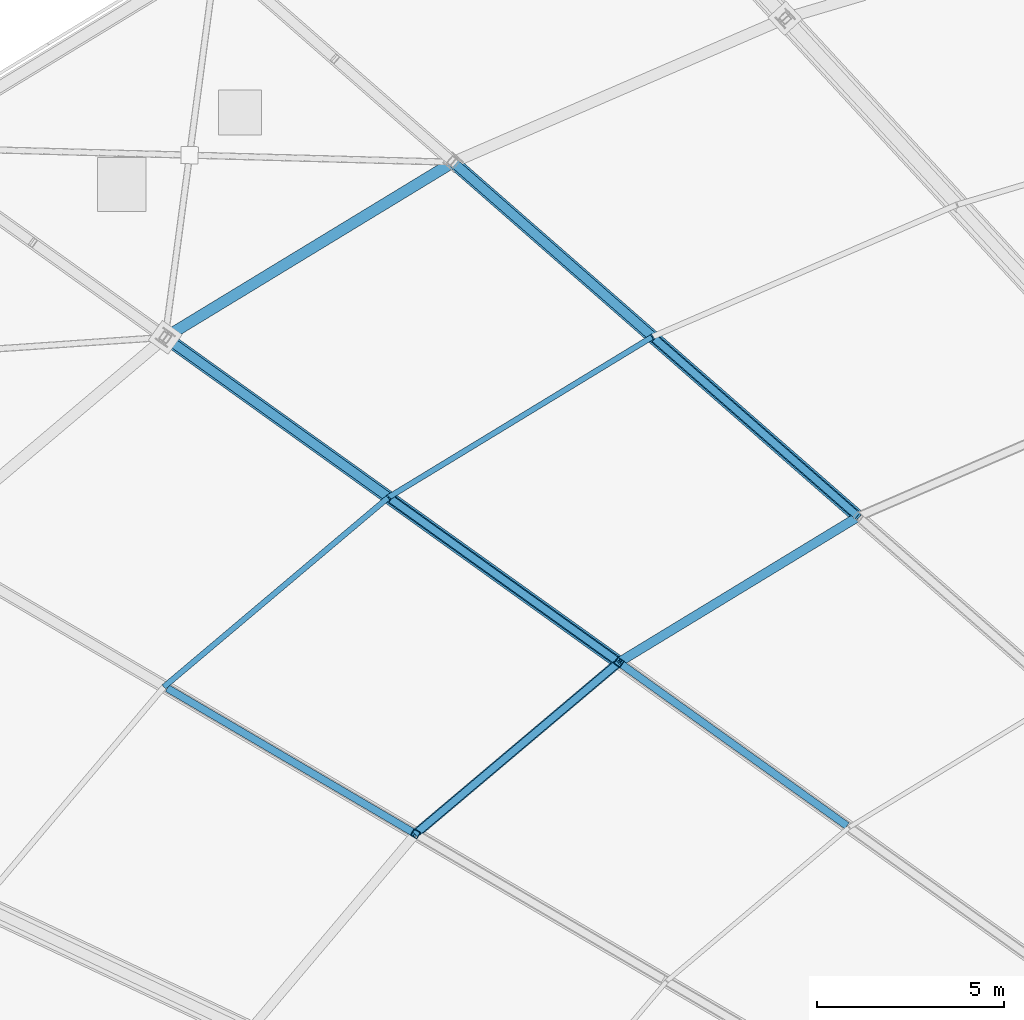
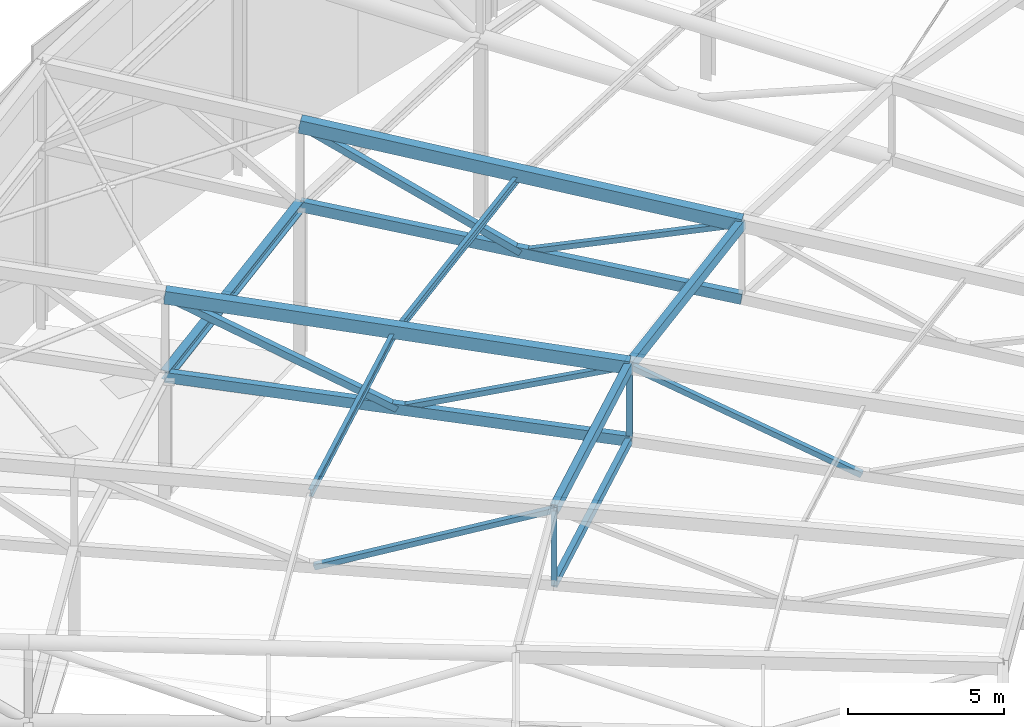
# One storey, part 50 of 143: 11 members, 7 beams.
"""IFC4 building model written with IfcOpenShell, lengths in metres."""

from ifc_helpers import new_model, si_unit, direction, frame, origin, origin_2d, place, context, subcontext, project, spatial, hollow_rectangle, i_section, extrude, material, material_profile, profile_set, type_object, element, save


model = new_model("IFC4")

# Units and contexts
model_context = context("Model", 3, precision=1e-05, world=origin(), true_north=direction((0.0, 1.0)))
body_context = subcontext(model_context, "Body", "Model", "MODEL_VIEW")
ifc_project = project(units=[si_unit("LENGTHUNIT", "METRE"), si_unit("AREAUNIT", "SQUARE_METRE"), si_unit("VOLUMEUNIT", "CUBIC_METRE"), si_unit("PLANEANGLEUNIT", "RADIAN"), si_unit("MASSUNIT", "GRAM", prefix="KILO")], contexts=[model_context])

# Site, building, storey
site_placement = place(None, origin())
site = spatial("IfcSite", under=ifc_project, at=site_placement, CompositionType="ELEMENT")
building_placement = place(site_placement, origin())
building = spatial("IfcBuilding", under=site, at=building_placement, Name="Mphavela Belvedere Stadium", CompositionType="ELEMENT")
storey_placement = place(building_placement, frame((0.0, 0.0, 28.800048828125)))
storey = spatial("IfcBuildingStorey", under=building, at=storey_placement, Name="RF", CompositionType="ELEMENT", Elevation=28.800048828125)

# Beams
ifc_material_1 = material(Name="Steel S355", Category="steel")
ifc_material_profile_1 = material_profile(ifc_material_1, hollow_rectangle(XDim=0.25, YDim=0.39990234375, WallThickness=0.01611328125, at=origin_2d()), Name="RHS 400x250x16")
ifc_profile_set_1 = profile_set([ifc_material_profile_1], Name="Steel S355")
beam_type_1 = type_object("IfcBeamType", Name="BM-RING-MID", PredefinedType="BEAM", material=ifc_profile_set_1)
beam_1_placement = place(storey_placement, frame((61.4775390625, 133.83349609375, 7.064697265625), z_axis=(-0.847674342675, -0.515707335878, -0.124475509606), x_axis=(0.519749594585, -0.854318651868, 0.0)))
element("IfcBeam", 1, at=beam_1_placement, inside=storey, type_object=beam_type_1, Name="Intermediate roof ring beam RB-MID-18", PredefinedType="BEAM", context=body_context, shape_type="SweptSolid", body=[
    extrude(hollow_rectangle(XDim=0.25, YDim=0.39990234375, WallThickness=0.01611328125, at=origin_2d()), origin(), (0.0, 0.0, 1.0), 7.55517578125),
])
beam_2_placement = place(storey_placement, frame((55.0732421875, 129.937255859375, 6.124267578125), z_axis=(-0.757645625472, -0.63937086052, -0.131064903468), x_axis=(0.644934198489, -0.764238104009, 0.0)))
element("IfcBeam", 2, at=beam_2_placement, inside=storey, type_object=beam_type_1, Name="Intermediate roof ring beam RB-MID-19", PredefinedType="BEAM", context=body_context, shape_type="SweptSolid", body=[
    extrude(hollow_rectangle(XDim=0.25, YDim=0.39990234375, WallThickness=0.01611328125, at=origin_2d()), origin(), (0.0, 0.0, 1.0), 7.17724609375),
])
ifc_material_2 = material(Name="Steel S355", Category="steel")
ifc_material_profile_2 = material_profile(ifc_material_2, i_section(OverallWidth=0.300048828125, OverallDepth=0.39990234375, WebThickness=0.013427734375, FlangeThickness=0.02392578125, at=origin_2d()), Name="HEB 400")
ifc_profile_set_2 = profile_set([ifc_material_profile_2], Name="Steel S355")
beam_type_2 = type_object("IfcBeamType", Name="BM-STEEL-HEB400", PredefinedType="BEAM", material=ifc_profile_set_2)
beam_3_placement = place(storey_placement, frame((50.639892578125, 143.31689453125, 5.832275390625), z_axis=(-0.847668189677, -0.5157113945, -0.124500593545), x_axis=(0.519755333579, -0.854315160357, 0.0)))
element("IfcBeam", 3, at=beam_3_placement, inside=storey, type_object=beam_type_2, Name="Roof bottom-chord tie girder R3-18", PredefinedType="BEAM", context=body_context, shape_type="SweptSolid", body=[
    extrude(i_section(OverallWidth=0.300048828125, OverallDepth=0.39990234375, WebThickness=0.013427734375, FlangeThickness=0.02392578125, at=origin_2d()), origin(), (0.0, 0.0, 1.0), 9.085205078125),
])
ifc_material_3 = material(Name="Steel S355", Category="steel")
ifc_material_profile_3 = material_profile(ifc_material_3, hollow_rectangle(XDim=0.25, YDim=0.39990234375, WallThickness=0.01611328125, at=origin_2d()), Name="RHS 400x250x16")
ifc_profile_set_3 = profile_set([ifc_material_profile_3], Name="Steel S355")
beam_type_3 = type_object("IfcBeamType", Name="BM-TRUSS-BC2", PredefinedType="BEAM", material=ifc_profile_set_3)
beam_4_placement = place(storey_placement, frame((50.639892578125, 143.31689453125, 5.832275390625), z_axis=(0.747566278438, -0.654152069556, -0.115020560063), x_axis=(0.658522610874, 0.752560941697, 0.0)))
element("IfcBeam", 4, at=beam_4_placement, inside=storey, type_object=beam_type_3, Name="Radial roof truss RT-18 bottom chord 2", PredefinedType="BEAM", context=body_context, shape_type="SweptSolid", body=[
    extrude(hollow_rectangle(XDim=0.25, YDim=0.39990234375, WallThickness=0.01611328125, at=origin_2d()), origin(), (0.0, 0.0, 1.0), 14.497314453125),
])
beam_5_placement = place(storey_placement, frame((42.938720703125, 138.631591796875, 4.701171875), z_axis=(0.808932564124, -0.579596935267, -0.098465726675), x_axis=(0.582427273986, 0.812882814751, 0.0)))
element("IfcBeam", 5, at=beam_5_placement, inside=storey, type_object=beam_type_3, Name="Radial roof truss RT-19 bottom chord 2", PredefinedType="BEAM", context=body_context, shape_type="SweptSolid", body=[
    extrude(hollow_rectangle(XDim=0.25, YDim=0.39990234375, WallThickness=0.01611328125, at=origin_2d()), origin(), (0.0, 0.0, 1.0), 15.000732421875),
])
ifc_material_4 = material(Name="Steel S355", Category="steel")
ifc_material_profile_4 = material_profile(ifc_material_4, hollow_rectangle(XDim=0.35009765625, YDim=0.5, WallThickness=0.02001953125, at=origin_2d()), Name="RHS 500x350x20")
ifc_profile_set_4 = profile_set([ifc_material_profile_4], Name="Steel S355")
beam_type_4 = type_object("IfcBeamType", Name="BM-TRUSS-TC2", PredefinedType="BEAM", material=ifc_profile_set_4)
beam_6_placement = place(storey_placement, frame((50.639892578125, 143.31689453125, 8.982177734375), z_axis=(0.745977412319, -0.65276174459, -0.131984109309), x_axis=(0.658522610874, 0.752560941697, 0.0)))
element("IfcBeam", 6, at=beam_6_placement, inside=storey, type_object=beam_type_4, Name="Radial roof truss RT-18 top chord 2", PredefinedType="BEAM", context=body_context, shape_type="SweptSolid", body=[
    extrude(hollow_rectangle(XDim=0.35009765625, YDim=0.5, WallThickness=0.02001953125, at=origin_2d()), origin(), (0.0, 0.0, 1.0), 14.528076171875),
])
beam_7_placement = place(storey_placement, frame((42.938720703125, 138.631591796875, 7.851318359375), z_axis=(0.807496577749, -0.578568056793, -0.114927283886), x_axis=(0.582427273986, 0.812882814751, 0.0)))
element("IfcBeam", 7, at=beam_7_placement, inside=storey, type_object=beam_type_4, Name="Radial roof truss RT-19 top chord 2", PredefinedType="BEAM", context=body_context, shape_type="SweptSolid", body=[
    extrude(hollow_rectangle(XDim=0.35009765625, YDim=0.5, WallThickness=0.02001953125, at=origin_2d()), origin(), (0.0, 0.0, 1.0), 15.02734375),
])

# Members
ifc_material_5 = material(Name="Steel S355", Category="steel")
ifc_material_profile_5 = material_profile(ifc_material_5, hollow_rectangle(XDim=0.199951171875, YDim=0.199951171875, WallThickness=0.010009765625, at=origin_2d()), Name="SHS 200x200x10")
ifc_profile_set_5 = profile_set([ifc_material_profile_5], Name="Steel S355")
member_type_1 = type_object("IfcMemberType", Name="MEM-POST-SHS200", PredefinedType="POST", material=ifc_profile_set_5)
member_1_placement = place(storey_placement, frame((56.05859375, 138.5751953125, 4.99853515625), z_axis=(0.723377197718, -0.632971343219, 0.275812814214), x_axis=(0.658514209396, 0.752568293263, 0.0)))
element("IfcMember", 8, at=member_1_placement, inside=storey, type_object=member_type_1, Name="Radial roof truss RT-18 web diagonal D4", PredefinedType="POST", context=body_context, shape_type="SweptSolid", body=[
    extrude(hollow_rectangle(XDim=0.199951171875, YDim=0.199951171875, WallThickness=0.010009765625, at=origin_2d()), origin(), (0.0, 0.0, 1.0), 7.4912109375),
])
member_2_placement = place(storey_placement, frame((55.0732421875, 129.937255859375, 3.22412109375), z_axis=(0.0, 0.0, 1.0), x_axis=(-0.812897512265, 0.582406760395, 0.0)))
element("IfcMember", 9, at=member_2_placement, inside=storey, type_object=member_type_1, Name="Radial roof truss RT-19 post P3", PredefinedType="POST", context=body_context, shape_type="SweptSolid", body=[
    extrude(hollow_rectangle(XDim=0.199951171875, YDim=0.199951171875, WallThickness=0.010009765625, at=origin_2d()), origin(), (0.0, 0.0, 1.0), 2.900146484375),
])
member_3_placement = place(storey_placement, frame((49.005859375, 134.284423828125, 3.962646484375), z_axis=(0.78080370017, -0.559431461662, 0.278176241804), x_axis=(0.58241953096, 0.812888362542, 0.0)))
element("IfcMember", 10, at=member_3_placement, inside=storey, type_object=member_type_1, Name="Radial roof truss RT-19 web diagonal D4", PredefinedType="POST", context=body_context, shape_type="SweptSolid", body=[
    extrude(hollow_rectangle(XDim=0.199951171875, YDim=0.199951171875, WallThickness=0.010009765625, at=origin_2d()), origin(), (0.0, 0.0, 1.0), 7.770751953125),
])
member_4_placement = place(storey_placement, frame((55.0732421875, 129.937255859375, 6.124267578125), z_axis=(0.726803658367, -0.520770672161, -0.447832947874), x_axis=(0.582441144155, 0.812872876652, 0.0)))
element("IfcMember", 11, at=member_4_placement, inside=storey, type_object=member_type_1, Name="Radial roof truss RT-19 web diagonal D5", PredefinedType="POST", context=body_context, shape_type="SweptSolid", body=[
    extrude(hollow_rectangle(XDim=0.199951171875, YDim=0.199951171875, WallThickness=0.010009765625, at=origin_2d()), origin(), (0.0, 0.0, 1.0), 8.34814453125),
])
member_5_placement = place(storey_placement, frame((49.635498046875, 125.348388671875, 2.28369140625), z_axis=(0.0, 0.0, 1.0), x_axis=(-0.862513669207, 0.506033764121, 0.0)))
element("IfcMember", 12, at=member_5_placement, inside=storey, type_object=member_type_1, Name="Radial roof truss RT-20 post P3", PredefinedType="POST", context=body_context, shape_type="SweptSolid", body=[
    extrude(hollow_rectangle(XDim=0.199951171875, YDim=0.199951171875, WallThickness=0.010009765625, at=origin_2d()), origin(), (0.0, 0.0, 1.0), 2.89990234375),
])
member_6_placement = place(storey_placement, frame((43.017578125, 129.231201171875, 2.927001953125), z_axis=(0.827464318161, -0.485483178369, 0.282150466402), x_axis=(0.506043648077, 0.862507870248, 0.0)))
element("IfcMember", 13, at=member_6_placement, inside=storey, type_object=member_type_1, Name="Radial roof truss RT-20 web diagonal D4", PredefinedType="POST", context=body_context, shape_type="SweptSolid", body=[
    extrude(hollow_rectangle(XDim=0.199951171875, YDim=0.199951171875, WallThickness=0.010009765625, at=origin_2d()), origin(), (0.0, 0.0, 1.0), 7.997802734375),
])
ifc_material_6 = material(Name="Steel S355", Category="steel")
ifc_material_profile_6 = material_profile(ifc_material_6, hollow_rectangle(XDim=0.25, YDim=0.25, WallThickness=0.012451171875, at=origin_2d()), Name="SHS 250x250x12.5")
ifc_profile_set_6 = profile_set([ifc_material_profile_6], Name="Steel S355")
member_type_2 = type_object("IfcMemberType", Name="MEM-POST-SHS250", PredefinedType="POST", material=ifc_profile_set_6)
member_7_placement = place(storey_placement, frame((50.639892578125, 143.31689453125, 8.982177734375), z_axis=(0.658493272583, -0.576222407754, -0.484101587237), x_axis=(0.658531012484, 0.752553589851, 0.0)))
element("IfcMember", 14, at=member_7_placement, inside=storey, type_object=member_type_2, Name="Radial roof truss RT-18 web diagonal D3", PredefinedType="POST", context=body_context, shape_type="SweptSolid", body=[
    extrude(hollow_rectangle(XDim=0.25, YDim=0.25, WallThickness=0.012451171875, at=origin_2d()), origin(), (0.0, 0.0, 1.0), 8.22900390625),
])
member_8_placement = place(storey_placement, frame((42.938720703125, 138.631591796875, 7.851318359375), z_axis=(0.720901423513, -0.516533368761, -0.462054560127), x_axis=(0.582435017164, 0.812877266739, 0.0)))
element("IfcMember", 15, at=member_8_placement, inside=storey, type_object=member_type_2, Name="Radial roof truss RT-19 web diagonal D3", PredefinedType="POST", context=body_context, shape_type="SweptSolid", body=[
    extrude(hollow_rectangle(XDim=0.25, YDim=0.25, WallThickness=0.012451171875, at=origin_2d()), origin(), (0.0, 0.0, 1.0), 8.416015625),
])
ifc_material_7 = material(Name="Steel S355", Category="steel")
ifc_material_profile_7 = material_profile(ifc_material_7, i_section(OverallWidth=0.14990234375, OverallDepth=0.300048828125, WebThickness=0.007080078125, FlangeThickness=0.0107421875, at=origin_2d()), Name="IPE 300")
ifc_profile_set_7 = profile_set([ifc_material_profile_7], Name="Steel S355")
member_type_3 = type_object("IfcMemberType", Name="MEM-PURLIN-IPE300", PredefinedType="PURLIN", material=ifc_profile_set_7)
member_9_placement = place(storey_placement, frame((55.975341796875, 138.64794921875, 7.84814453125), z_axis=(-0.847684683893, -0.515690233048, -0.124475942382), x_axis=(0.519732386137, -0.85432912089, 0.0)))
element("IfcMember", 16, at=member_9_placement, inside=storey, type_object=member_type_3, Name="Saddle canopy steel purlin 18-2", PredefinedType="PURLIN", context=body_context, shape_type="SweptSolid", body=[
    extrude(i_section(OverallWidth=0.14990234375, OverallDepth=0.300048828125, WebThickness=0.007080078125, FlangeThickness=0.0107421875, at=origin_2d()), origin(), (0.0, 0.0, 1.0), 8.331787109375),
])
member_10_placement = place(storey_placement, frame((48.91259765625, 134.351318359375, 6.81103515625), z_axis=(-0.757668666465, -0.639343665261, -0.131064371771), x_axis=(0.64490672087, -0.764261291298, 0.0)))
element("IfcMember", 17, at=member_10_placement, inside=storey, type_object=member_type_3, Name="Saddle canopy steel purlin 19-2", PredefinedType="PURLIN", context=body_context, shape_type="SweptSolid", body=[
    extrude(i_section(OverallWidth=0.14990234375, OverallDepth=0.300048828125, WebThickness=0.007080078125, FlangeThickness=0.0107421875, at=origin_2d()), origin(), (0.0, 0.0, 1.0), 7.914794921875),
])
ifc_material_8 = material(Name="Steel S355", Category="steel")
ifc_material_profile_8 = material_profile(ifc_material_8, hollow_rectangle(XDim=0.199951171875, YDim=0.300048828125, WallThickness=0.011962890625, at=origin_2d()), Name="RHS 300x200x12")
ifc_profile_set_8 = profile_set([ifc_material_profile_8], Name="Steel S355")
member_type_4 = type_object("IfcMemberType", Name="MEM-SEC-CHORD", PredefinedType="CHORD", material=ifc_profile_set_8)
member_11_placement = place(storey_placement, frame((55.0732421875, 129.937255859375, 3.22412109375), z_axis=(-0.757649002903, -0.639373710706, -0.131031471251), x_axis=(0.644934198489, -0.764238104009, 0.0)))
element("IfcMember", 18, at=member_11_placement, inside=storey, type_object=member_type_4, Name="Secondary bottom roof tie chord 19", PredefinedType="CHORD", context=body_context, shape_type="SweptSolid", body=[
    extrude(hollow_rectangle(XDim=0.199951171875, YDim=0.300048828125, WallThickness=0.011962890625, at=origin_2d()), origin(), (0.0, 0.0, 1.0), 7.17724609375),
])

save(model, "model.ifc")
